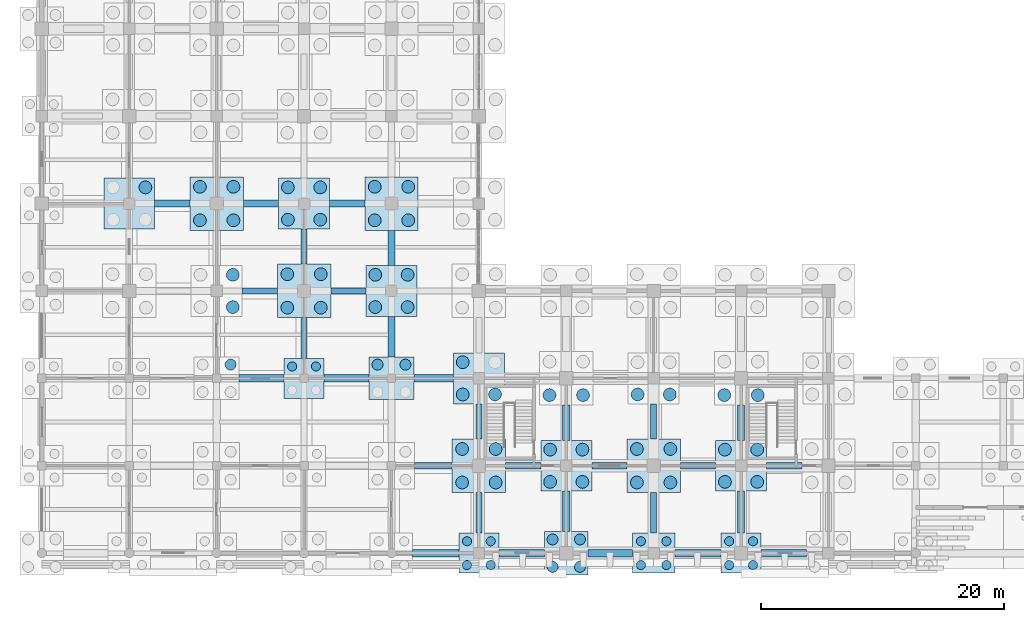
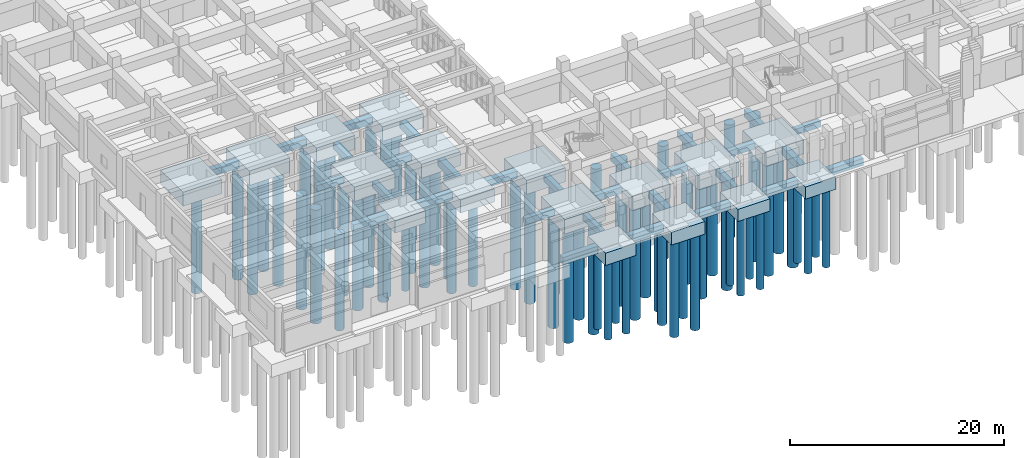
# One storey, part 2 of 79: 69 piles, 47 footings.
"""IFC4 building model written with IfcOpenShell, lengths in metres."""

from ifc_helpers import new_model, si_unit, direction, frame, origin, origin_2d, place, context, subcontext, project, spatial, polyline, rectangle, circle, outline, extrude, material, material_profile, profile_set, type_object, element, save


model = new_model("IFC4")

# Units and contexts
model_context = context("Model", 3, precision=1e-05, world=origin(), true_north=direction((0.0, 1.0)))
body_context = subcontext(model_context, "Body", "Model", "MODEL_VIEW")
ifc_project = project(units=[si_unit("LENGTHUNIT", "METRE"), si_unit("AREAUNIT", "SQUARE_METRE"), si_unit("VOLUMEUNIT", "CUBIC_METRE"), si_unit("PLANEANGLEUNIT", "RADIAN"), si_unit("MASSUNIT", "GRAM", prefix="KILO")], contexts=[model_context])

# Site, building, storey
site_placement = place(None, origin())
site = spatial("IfcSite", under=ifc_project, at=site_placement, CompositionType="ELEMENT")
building_placement = place(site_placement, origin())
building = spatial("IfcBuilding", under=site, at=building_placement, Name="Kavelor Marine Aquarium", CompositionType="ELEMENT")
storey_placement = place(building_placement, origin())
storey = spatial("IfcBuildingStorey", under=building, at=storey_placement, Name="L00", CompositionType="ELEMENT", Elevation=0.0)

# Footings
ifc_material_1 = material(Name="Concrete C40/50", Category="concrete")
footing_type_1 = type_object("IfcFootingType", Name="CAP-PC01", PredefinedType="PILE_CAP", material=ifc_material_1)
footing_1_placement = place(storey_placement, frame((0.0, 0.0, -2.0)))
element("IfcFooting", 1, at=footing_1_placement, inside=storey, type_object=footing_type_1, Name="Pile Cap PC01 (3-E)", PredefinedType="PILE_CAP", context=body_context, shape_type="SweptSolid", body=[
    extrude(outline(polyline([(15.39990234375, 29.39990234375), (19.800048828125, 29.39990234375), (19.800048828125, 33.800048828125), (15.39990234375, 33.800048828125), (15.39990234375, 29.39990234375)])), origin(), (0.0, 0.0, 1.0), 1.64990234375),
])
footing_2_placement = place(storey_placement, frame((0.0, 0.0, -2.0)))
element("IfcFooting", 2, at=footing_2_placement, inside=storey, type_object=footing_type_1, Name="Pile Cap PC01 (4-D)", PredefinedType="PILE_CAP", context=body_context, shape_type="SweptSolid", body=[
    extrude(outline(polyline([(22.60009765625, 22.199951171875), (27.0, 22.199951171875), (27.0, 26.60009765625), (22.60009765625, 26.60009765625), (22.60009765625, 22.199951171875)])), origin(), (0.0, 0.0, 1.0), 1.64990234375),
])
footing_3_placement = place(storey_placement, frame((0.0, 0.0, -2.0)))
element("IfcFooting", 3, at=footing_3_placement, inside=storey, type_object=footing_type_1, Name="Pile Cap PC01 (5-E)", PredefinedType="PILE_CAP", context=body_context, shape_type="SweptSolid", body=[
    extrude(outline(polyline([(29.800048828125, 29.39990234375), (34.199951171875, 29.39990234375), (34.199951171875, 33.800048828125), (29.800048828125, 33.800048828125), (29.800048828125, 29.39990234375)])), origin(), (0.0, 0.0, 1.0), 1.64990234375),
])
footing_4_placement = place(storey_placement, frame((0.0, 0.0, -2.0)))
element("IfcFooting", 4, at=footing_4_placement, inside=storey, type_object=footing_type_1, Name="Pile Cap PC01 (6-B)", PredefinedType="PILE_CAP", context=body_context, shape_type="SweptSolid", body=[
    extrude(outline(polyline([(37.0, 7.800048828125), (41.39990234375, 7.800048828125), (41.39990234375, 12.199951171875), (37.0, 12.199951171875), (37.0, 7.800048828125)])), origin(), (0.0, 0.0, 1.0), 1.64990234375),
])
footing_5_placement = place(storey_placement, frame((0.0, 0.0, -2.0)))
element("IfcFooting", 5, at=footing_5_placement, inside=storey, type_object=footing_type_1, Name="Pile Cap PC01 (8-B)", PredefinedType="PILE_CAP", context=body_context, shape_type="SweptSolid", body=[
    extrude(outline(polyline([(51.39990234375, 7.800048828125), (55.800048828125, 7.800048828125), (55.800048828125, 12.199951171875), (51.39990234375, 12.199951171875), (51.39990234375, 7.800048828125)])), origin(), (0.0, 0.0, 1.0), 1.64990234375),
])
ifc_material_2 = material(Name="Concrete C40/50", Category="concrete")
footing_type_2 = type_object("IfcFootingType", Name="CAP-PC02", PredefinedType="PILE_CAP", material=ifc_material_2)
footing_6_placement = place(storey_placement, frame((0.0, 0.0, -1.949951171875)))
element("IfcFooting", 6, at=footing_6_placement, inside=storey, type_object=footing_type_2, Name="Pile Cap PC02 (2-E)", PredefinedType="PILE_CAP", context=body_context, shape_type="SweptSolid", body=[
    extrude(outline(polyline([(8.300048828125, 29.5), (12.5, 29.5), (12.5, 33.699951171875), (8.300048828125, 33.699951171875), (8.300048828125, 29.5)])), origin(), (0.0, 0.0, 1.0), 1.599853515625),
])
footing_7_placement = place(storey_placement, frame((0.0, 0.0, -1.949951171875)))
element("IfcFooting", 7, at=footing_7_placement, inside=storey, type_object=footing_type_2, Name="Pile Cap PC02 (4-E)", PredefinedType="PILE_CAP", context=body_context, shape_type="SweptSolid", body=[
    extrude(outline(polyline([(22.699951171875, 29.5), (26.89990234375, 29.5), (26.89990234375, 33.699951171875), (22.699951171875, 33.699951171875), (22.699951171875, 29.5)])), origin(), (0.0, 0.0, 1.0), 1.599853515625),
])
footing_8_placement = place(storey_placement, frame((0.0, 0.0, -1.949951171875)))
element("IfcFooting", 8, at=footing_8_placement, inside=storey, type_object=footing_type_2, Name="Pile Cap PC02 (5-D)", PredefinedType="PILE_CAP", context=body_context, shape_type="SweptSolid", body=[
    extrude(outline(polyline([(29.89990234375, 22.300048828125), (34.10009765625, 22.300048828125), (34.10009765625, 26.5), (29.89990234375, 26.5), (29.89990234375, 22.300048828125)])), origin(), (0.0, 0.0, 1.0), 1.599853515625),
])
footing_9_placement = place(storey_placement, frame((0.0, 0.0, -1.949951171875)))
element("IfcFooting", 9, at=footing_9_placement, inside=storey, type_object=footing_type_2, Name="Pile Cap PC02 (6-C)", PredefinedType="PILE_CAP", context=body_context, shape_type="SweptSolid", body=[
    extrude(outline(polyline([(37.10009765625, 15.10009765625), (41.300048828125, 15.10009765625), (41.300048828125, 19.300048828125), (37.10009765625, 19.300048828125), (37.10009765625, 15.10009765625)])), origin(), (0.0, 0.0, 1.0), 1.599853515625),
])
footing_10_placement = place(storey_placement, frame((0.0, 0.0, -1.949951171875)))
element("IfcFooting", 10, at=footing_10_placement, inside=storey, type_object=footing_type_2, Name="Pile Cap PC02 (7-B)", PredefinedType="PILE_CAP", context=body_context, shape_type="SweptSolid", body=[
    extrude(outline(polyline([(44.300048828125, 7.89990234375), (48.5, 7.89990234375), (48.5, 12.10009765625), (44.300048828125, 12.10009765625), (44.300048828125, 7.89990234375)])), origin(), (0.0, 0.0, 1.0), 1.599853515625),
])
footing_11_placement = place(storey_placement, frame((0.0, 0.0, -1.949951171875)))
element("IfcFooting", 11, at=footing_11_placement, inside=storey, type_object=footing_type_2, Name="Pile Cap PC02 (9-B)", PredefinedType="PILE_CAP", context=body_context, shape_type="SweptSolid", body=[
    extrude(outline(polyline([(58.699951171875, 7.89990234375), (62.89990234375, 7.89990234375), (62.89990234375, 12.10009765625), (58.699951171875, 12.10009765625), (58.699951171875, 7.89990234375)])), origin(), (0.0, 0.0, 1.0), 1.599853515625),
])
ifc_material_3 = material(Name="Concrete C40/50", Category="concrete")
footing_type_3 = type_object("IfcFootingType", Name="CAP-PC05", PredefinedType="PILE_CAP", material=ifc_material_3)
footing_12_placement = place(storey_placement, frame((0.0, 0.0, -1.85009765625)))
element("IfcFooting", 12, at=footing_12_placement, inside=storey, type_object=footing_type_3, Name="Pile Cap PC05 (5-C)", PredefinedType="PILE_CAP", context=body_context, shape_type="SweptSolid", body=[
    extrude(outline(polyline([(30.14990234375, 15.449951171875), (33.85009765625, 15.449951171875), (33.85009765625, 18.949951171875), (30.14990234375, 18.949951171875), (30.14990234375, 15.449951171875)])), origin(), (0.0, 0.0, 1.0), 1.5),
])
ifc_material_4 = material(Name="Concrete C40/50", Category="concrete")
footing_type_4 = type_object("IfcFootingType", Name="CAP-PC06", PredefinedType="PILE_CAP", material=ifc_material_4)
footing_13_placement = place(storey_placement, frame((0.0, 0.0, -1.800048828125)))
element("IfcFooting", 13, at=footing_13_placement, inside=storey, type_object=footing_type_4, Name="Pile Cap PC06 (7-A)", PredefinedType="PILE_CAP", context=body_context, shape_type="SweptSolid", body=[
    extrude(outline(polyline([(44.60009765625, 1.0), (48.199951171875, 1.0), (48.199951171875, 4.60009765625), (44.60009765625, 4.60009765625), (44.60009765625, 1.0)])), origin(), (0.0, 0.0, 1.0), 1.449951171875),
])
ifc_material_5 = material(Name="Concrete C40/50", Category="concrete")
footing_type_5 = type_object("IfcFootingType", Name="CAP-PC07", PredefinedType="PILE_CAP", material=ifc_material_5)
footing_14_placement = place(storey_placement, frame((0.0, 0.0, -1.75)))
element("IfcFooting", 14, at=footing_14_placement, inside=storey, type_object=footing_type_5, Name="Pile Cap PC07 (8-A)", PredefinedType="PILE_CAP", context=body_context, shape_type="SweptSolid", body=[
    extrude(outline(polyline([(51.85009765625, 1.14990234375), (55.35009765625, 1.14990234375), (55.35009765625, 4.449951171875), (51.85009765625, 4.449951171875), (51.85009765625, 1.14990234375)])), origin(), (0.0, 0.0, 1.0), 1.39990234375),
])
ifc_material_6 = material(Name="Concrete C40/50", Category="concrete")
footing_type_6 = type_object("IfcFootingType", Name="CAP-PC08", PredefinedType="PILE_CAP", material=ifc_material_6)
footing_15_placement = place(storey_placement, frame((0.0, 0.0, -1.75)))
element("IfcFooting", 15, at=footing_15_placement, inside=storey, type_object=footing_type_6, Name="Pile Cap PC08 (4-C)", PredefinedType="PILE_CAP", context=body_context, shape_type="SweptSolid", body=[
    extrude(outline(polyline([(23.14990234375, 15.550048828125), (26.449951171875, 15.550048828125), (26.449951171875, 18.85009765625), (23.14990234375, 18.85009765625), (23.14990234375, 15.550048828125)])), origin(), (0.0, 0.0, 1.0), 1.39990234375),
])
footing_16_placement = place(storey_placement, frame((0.0, 0.0, -1.75)))
element("IfcFooting", 16, at=footing_16_placement, inside=storey, type_object=footing_type_6, Name="Pile Cap PC08 (6-A)", PredefinedType="PILE_CAP", context=body_context, shape_type="SweptSolid", body=[
    extrude(outline(polyline([(37.550048828125, 1.14990234375), (40.85009765625, 1.14990234375), (40.85009765625, 4.449951171875), (37.550048828125, 4.449951171875), (37.550048828125, 1.14990234375)])), origin(), (0.0, 0.0, 1.0), 1.39990234375),
])
footing_17_placement = place(storey_placement, frame((0.0, 0.0, -1.75)))
element("IfcFooting", 17, at=footing_17_placement, inside=storey, type_object=footing_type_6, Name="Pile Cap PC08 (9-A)", PredefinedType="PILE_CAP", context=body_context, shape_type="SweptSolid", body=[
    extrude(outline(polyline([(59.14990234375, 1.14990234375), (62.449951171875, 1.14990234375), (62.449951171875, 4.449951171875), (59.14990234375, 4.449951171875), (59.14990234375, 1.14990234375)])), origin(), (0.0, 0.0, 1.0), 1.39990234375),
])
ifc_material_7 = material(Name="Concrete C40/50", Category="concrete")
ifc_material_profile_1 = material_profile(ifc_material_7, rectangle(XDim=0.60009765625, YDim=0.800048828125, at=origin_2d()), Name="GB 600x800")
ifc_profile_set_1 = profile_set([ifc_material_profile_1], Name="Concrete C40/50")
footing_type_7 = type_object("IfcFootingType", Name="FTB-GB1", PredefinedType="FOOTING_BEAM", material=ifc_profile_set_1)
footing_18_placement = place(storey_placement, frame((12.5, 31.60009765625, -0.75), z_axis=(1.0, 0.0, 0.0), x_axis=(0.0, 1.0, 0.0)))
element("IfcFooting", 18, at=footing_18_placement, inside=storey, type_object=footing_type_7, Name="ftb:x:01_04", PredefinedType="FOOTING_BEAM", context=body_context, shape_type="SweptSolid", body=[
    extrude(rectangle(XDim=0.60009765625, YDim=0.800048828125, at=origin_2d()), origin(), (0.0, 0.0, 1.0), 2.89990234375),
])
footing_19_placement = place(storey_placement, frame((19.449951171875, 17.199951171875, -0.75), z_axis=(1.0, 0.0, 0.0), x_axis=(0.0, 1.0, 0.0)))
element("IfcFooting", 19, at=footing_19_placement, inside=storey, type_object=footing_type_7, Name="ftb:x:02_02", PredefinedType="FOOTING_BEAM", context=body_context, shape_type="SweptSolid", body=[
    extrude(rectangle(XDim=0.60009765625, YDim=0.800048828125, at=origin_2d()), origin(), (0.0, 0.0, 1.0), 3.699951171875),
])
footing_20_placement = place(storey_placement, frame((19.800048828125, 31.60009765625, -0.75), z_axis=(1.0, 0.0, 0.0), x_axis=(0.0, 1.0, 0.0)))
element("IfcFooting", 20, at=footing_20_placement, inside=storey, type_object=footing_type_7, Name="ftb:x:02_04", PredefinedType="FOOTING_BEAM", context=body_context, shape_type="SweptSolid", body=[
    extrude(rectangle(XDim=0.60009765625, YDim=0.800048828125, at=origin_2d()), origin(), (0.0, 0.0, 1.0), 2.89990234375),
])
footing_21_placement = place(storey_placement, frame((26.449951171875, 17.199951171875, -0.75), z_axis=(1.0, 0.0, 0.0), x_axis=(0.0, 1.0, 0.0)))
element("IfcFooting", 21, at=footing_21_placement, inside=storey, type_object=footing_type_7, Name="ftb:x:03_02", PredefinedType="FOOTING_BEAM", context=body_context, shape_type="SweptSolid", body=[
    extrude(rectangle(XDim=0.60009765625, YDim=0.800048828125, at=origin_2d()), origin(), (0.0, 0.0, 1.0), 3.699951171875),
])
footing_22_placement = place(storey_placement, frame((26.89990234375, 31.60009765625, -0.75), z_axis=(1.0, 0.0, 0.0), x_axis=(0.0, 1.0, 0.0)))
element("IfcFooting", 22, at=footing_22_placement, inside=storey, type_object=footing_type_7, Name="ftb:x:03_04", PredefinedType="FOOTING_BEAM", context=body_context, shape_type="SweptSolid", body=[
    extrude(rectangle(XDim=0.60009765625, YDim=0.800048828125, at=origin_2d()), origin(), (0.0, 0.0, 1.0), 2.900146484375),
])
footing_23_placement = place(storey_placement, frame((33.75, 2.800048828125, -0.75), z_axis=(1.0, 0.0, 0.0), x_axis=(0.0, 1.0, 0.0)))
element("IfcFooting", 23, at=footing_23_placement, inside=storey, type_object=footing_type_7, Name="ftb:x:04_00", PredefinedType="FOOTING_BEAM", context=body_context, shape_type="SweptSolid", body=[
    extrude(rectangle(XDim=0.60009765625, YDim=0.800048828125, at=origin_2d()), origin(), (0.0, 0.0, 1.0), 3.800048828125),
])
footing_24_placement = place(storey_placement, frame((33.85009765625, 17.199951171875, -0.75), z_axis=(1.0, 0.0, 0.0), x_axis=(0.0, 1.0, 0.0)))
element("IfcFooting", 24, at=footing_24_placement, inside=storey, type_object=footing_type_7, Name="ftb:x:04_02", PredefinedType="FOOTING_BEAM", context=body_context, shape_type="SweptSolid", body=[
    extrude(rectangle(XDim=0.60009765625, YDim=0.800048828125, at=origin_2d()), origin(), (0.0, 0.0, 1.0), 3.25),
])
footing_25_placement = place(storey_placement, frame((32.0, 18.949951171875, -0.75), z_axis=(0.0, 1.0, 0.0), x_axis=(-1.0, 0.0, 0.0)))
element("IfcFooting", 25, at=footing_25_placement, inside=storey, type_object=footing_type_7, Name="ftb:y:04_02", PredefinedType="FOOTING_BEAM", context=body_context, shape_type="SweptSolid", body=[
    extrude(rectangle(XDim=0.60009765625, YDim=0.800048828125, at=origin_2d()), origin(), (0.0, 0.0, 1.0), 3.35009765625),
])
footing_26_placement = place(storey_placement, frame((32.0, 26.5, -0.75), z_axis=(0.0, 1.0, 0.0), x_axis=(-1.0, 0.0, 0.0)))
element("IfcFooting", 26, at=footing_26_placement, inside=storey, type_object=footing_type_7, Name="ftb:y:04_03", PredefinedType="FOOTING_BEAM", context=body_context, shape_type="SweptSolid", body=[
    extrude(rectangle(XDim=0.60009765625, YDim=0.800048828125, at=origin_2d()), origin(), (0.0, 0.0, 1.0), 2.89990234375),
])
footing_27_placement = place(storey_placement, frame((40.85009765625, 2.800048828125, -0.75), z_axis=(1.0, 0.0, 0.0), x_axis=(0.0, 1.0, 0.0)))
element("IfcFooting", 27, at=footing_27_placement, inside=storey, type_object=footing_type_7, Name="ftb:x:05_00", PredefinedType="FOOTING_BEAM", context=body_context, shape_type="SweptSolid", body=[
    extrude(rectangle(XDim=0.60009765625, YDim=0.800048828125, at=origin_2d()), origin(), (0.0, 0.0, 1.0), 3.75),
])
footing_28_placement = place(storey_placement, frame((48.199951171875, 2.800048828125, -0.75), z_axis=(1.0, 0.0, 0.0), x_axis=(0.0, 1.0, 0.0)))
element("IfcFooting", 28, at=footing_28_placement, inside=storey, type_object=footing_type_7, Name="ftb:x:06_00", PredefinedType="FOOTING_BEAM", context=body_context, shape_type="SweptSolid", body=[
    extrude(rectangle(XDim=0.60009765625, YDim=0.800048828125, at=origin_2d()), origin(), (0.0, 0.0, 1.0), 3.650146484375),
])
footing_29_placement = place(storey_placement, frame((46.39990234375, 4.60009765625, -0.75), z_axis=(0.0, 1.0, 0.0), x_axis=(-1.0, 0.0, 0.0)))
element("IfcFooting", 29, at=footing_29_placement, inside=storey, type_object=footing_type_7, Name="ftb:y:06_00", PredefinedType="FOOTING_BEAM", context=body_context, shape_type="SweptSolid", body=[
    extrude(rectangle(XDim=0.60009765625, YDim=0.800048828125, at=origin_2d()), origin(), (0.0, 0.0, 1.0), 3.2998046875),
])
footing_30_placement = place(storey_placement, frame((46.39990234375, 12.10009765625, -0.75), z_axis=(0.0, 1.0, 0.0), x_axis=(-1.0, 0.0, 0.0)))
element("IfcFooting", 30, at=footing_30_placement, inside=storey, type_object=footing_type_7, Name="ftb:y:06_01", PredefinedType="FOOTING_BEAM", context=body_context, shape_type="SweptSolid", body=[
    extrude(rectangle(XDim=0.60009765625, YDim=0.800048828125, at=origin_2d()), origin(), (0.0, 0.0, 1.0), 2.89990234375),
])
footing_31_placement = place(storey_placement, frame((55.35009765625, 2.800048828125, -0.75), z_axis=(1.0, 0.0, 0.0), x_axis=(0.0, 1.0, 0.0)))
element("IfcFooting", 31, at=footing_31_placement, inside=storey, type_object=footing_type_7, Name="ftb:x:07_00", PredefinedType="FOOTING_BEAM", context=body_context, shape_type="SweptSolid", body=[
    extrude(rectangle(XDim=0.60009765625, YDim=0.800048828125, at=origin_2d()), origin(), (0.0, 0.0, 1.0), 3.7998046875),
])
footing_32_placement = place(storey_placement, frame((62.449951171875, 2.800048828125, -0.75), z_axis=(1.0, 0.0, 0.0), x_axis=(0.0, 1.0, 0.0)))
element("IfcFooting", 32, at=footing_32_placement, inside=storey, type_object=footing_type_7, Name="ftb:x:08_00", PredefinedType="FOOTING_BEAM", context=body_context, shape_type="SweptSolid", body=[
    extrude(rectangle(XDim=0.60009765625, YDim=0.800048828125, at=origin_2d()), origin(), (0.0, 0.0, 1.0), 3.75),
])
footing_33_placement = place(storey_placement, frame((60.800048828125, 4.449951171875, -0.75), z_axis=(0.0, 1.0, 0.0), x_axis=(-1.0, 0.0, 0.0)))
element("IfcFooting", 33, at=footing_33_placement, inside=storey, type_object=footing_type_7, Name="ftb:y:08_00", PredefinedType="FOOTING_BEAM", context=body_context, shape_type="SweptSolid", body=[
    extrude(rectangle(XDim=0.60009765625, YDim=0.800048828125, at=origin_2d()), origin(), (0.0, 0.0, 1.0), 3.449951171875),
])
footing_34_placement = place(storey_placement, frame((60.800048828125, 12.10009765625, -0.75), z_axis=(0.0, 1.0, 0.0), x_axis=(-1.0, 0.0, 0.0)))
element("IfcFooting", 34, at=footing_34_placement, inside=storey, type_object=footing_type_7, Name="ftb:y:08_01", PredefinedType="FOOTING_BEAM", context=body_context, shape_type="SweptSolid", body=[
    extrude(rectangle(XDim=0.60009765625, YDim=0.800048828125, at=origin_2d()), origin(), (0.0, 0.0, 1.0), 2.89990234375),
])
ifc_material_8 = material(Name="Concrete C40/50", Category="concrete")
ifc_material_profile_2 = material_profile(ifc_material_8, rectangle(XDim=0.5, YDim=0.699951171875, at=origin_2d()), Name="GB 500x700")
ifc_profile_set_2 = profile_set([ifc_material_profile_2], Name="Concrete C40/50")
footing_type_8 = type_object("IfcFootingType", Name="FTB-GB2", PredefinedType="FOOTING_BEAM", material=ifc_profile_set_2)
footing_35_placement = place(storey_placement, frame((19.699951171875, 24.39990234375, -0.699951171875), z_axis=(1.0, 0.0, 0.0), x_axis=(0.0, 1.0, 0.0)))
element("IfcFooting", 35, at=footing_35_placement, inside=storey, type_object=footing_type_8, Name="ftb:x:02_03", PredefinedType="FOOTING_BEAM", context=body_context, shape_type="SweptSolid", body=[
    extrude(rectangle(XDim=0.5, YDim=0.699951171875, at=origin_2d()), origin(), (0.0, 0.0, 1.0), 2.900146484375),
])
footing_36_placement = place(storey_placement, frame((24.800048828125, 18.85009765625, -0.699951171875), z_axis=(0.0, 1.0, 0.0), x_axis=(-1.0, 0.0, 0.0)))
element("IfcFooting", 36, at=footing_36_placement, inside=storey, type_object=footing_type_8, Name="ftb:y:03_02", PredefinedType="FOOTING_BEAM", context=body_context, shape_type="SweptSolid", body=[
    extrude(rectangle(XDim=0.5, YDim=0.699951171875, at=origin_2d()), origin(), (0.0, 0.0, 1.0), 3.349853515625),
])
for number, where, z_axis, x_axis, name in (
    (37, (27.0, 24.39990234375, -0.699951171875), (1.0, 0.0, 0.0), (0.0, 1.0, 0.0), "ftb:x:03_03"),
    (38, (24.800048828125, 26.60009765625, -0.699951171875), (0.0, 1.0, 0.0), (-1.0, 0.0, 0.0), "ftb:y:03_03"),
):
    element("IfcFooting", number, at=place(storey_placement, frame(where, z_axis=z_axis, x_axis=x_axis)), inside=storey, type_object=footing_type_8, Name=name, PredefinedType="FOOTING_BEAM", context=body_context, shape_type="SweptSolid", body=[
        extrude(rectangle(XDim=0.5, YDim=0.699951171875, at=origin_2d()), origin(), (0.0, 0.0, 1.0), 2.89990234375),
    ])
footing_37_placement = place(storey_placement, frame((33.89990234375, 10.0, -0.699951171875), z_axis=(1.0, 0.0, 0.0), x_axis=(0.0, 1.0, 0.0)))
element("IfcFooting", 39, at=footing_37_placement, inside=storey, type_object=footing_type_8, Name="ftb:x:04_01", PredefinedType="FOOTING_BEAM", context=body_context, shape_type="SweptSolid", body=[
    extrude(rectangle(XDim=0.5, YDim=0.699951171875, at=origin_2d()), origin(), (0.0, 0.0, 1.0), 3.10009765625),
])
footing_38_placement = place(storey_placement, frame((39.199951171875, 4.449951171875, -0.699951171875), z_axis=(0.0, 1.0, 0.0), x_axis=(-1.0, 0.0, 0.0)))
element("IfcFooting", 40, at=footing_38_placement, inside=storey, type_object=footing_type_8, Name="ftb:y:05_00", PredefinedType="FOOTING_BEAM", context=body_context, shape_type="SweptSolid", body=[
    extrude(rectangle(XDim=0.5, YDim=0.699951171875, at=origin_2d()), origin(), (0.0, 0.0, 1.0), 3.35009765625),
])
for number, where, z_axis, x_axis, name in (
    (41, (41.39990234375, 10.0, -0.699951171875), (1.0, 0.0, 0.0), (0.0, 1.0, 0.0), "ftb:x:05_01"),
    (42, (39.199951171875, 12.199951171875, -0.699951171875), (0.0, 1.0, 0.0), (-1.0, 0.0, 0.0), "ftb:y:05_01"),
):
    element("IfcFooting", number, at=place(storey_placement, frame(where, z_axis=z_axis, x_axis=x_axis)), inside=storey, type_object=footing_type_8, Name=name, PredefinedType="FOOTING_BEAM", context=body_context, shape_type="SweptSolid", body=[
        extrude(rectangle(XDim=0.5, YDim=0.699951171875, at=origin_2d()), origin(), (0.0, 0.0, 1.0), 2.900146484375),
    ])
footing_39_placement = place(storey_placement, frame((48.5, 10.0, -0.699951171875), z_axis=(1.0, 0.0, 0.0), x_axis=(0.0, 1.0, 0.0)))
element("IfcFooting", 43, at=footing_39_placement, inside=storey, type_object=footing_type_8, Name="ftb:x:06_01", PredefinedType="FOOTING_BEAM", context=body_context, shape_type="SweptSolid", body=[
    extrude(rectangle(XDim=0.5, YDim=0.699951171875, at=origin_2d()), origin(), (0.0, 0.0, 1.0), 2.89990234375),
])
footing_40_placement = place(storey_placement, frame((53.60009765625, 4.449951171875, -0.699951171875), z_axis=(0.0, 1.0, 0.0), x_axis=(-1.0, 0.0, 0.0)))
element("IfcFooting", 44, at=footing_40_placement, inside=storey, type_object=footing_type_8, Name="ftb:y:07_00", PredefinedType="FOOTING_BEAM", context=body_context, shape_type="SweptSolid", body=[
    extrude(rectangle(XDim=0.5, YDim=0.699951171875, at=origin_2d()), origin(), (0.0, 0.0, 1.0), 3.35009765625),
])
footing_41_placement = place(storey_placement, frame((55.800048828125, 10.0, -0.699951171875), z_axis=(1.0, 0.0, 0.0), x_axis=(0.0, 1.0, 0.0)))
element("IfcFooting", 45, at=footing_41_placement, inside=storey, type_object=footing_type_8, Name="ftb:x:07_01", PredefinedType="FOOTING_BEAM", context=body_context, shape_type="SweptSolid", body=[
    extrude(rectangle(XDim=0.5, YDim=0.699951171875, at=origin_2d()), origin(), (0.0, 0.0, 1.0), 2.89990234375),
])
for number, where, z_axis, x_axis, name in (
    (46, (53.60009765625, 12.199951171875, -0.699951171875), (0.0, 1.0, 0.0), (-1.0, 0.0, 0.0), "ftb:y:07_01"),
    (47, (62.89990234375, 10.0, -0.699951171875), (1.0, 0.0, 0.0), (0.0, 1.0, 0.0), "ftb:x:08_01"),
):
    element("IfcFooting", number, at=place(storey_placement, frame(where, z_axis=z_axis, x_axis=x_axis)), inside=storey, type_object=footing_type_8, Name=name, PredefinedType="FOOTING_BEAM", context=body_context, shape_type="SweptSolid", body=[
        extrude(rectangle(XDim=0.5, YDim=0.699951171875, at=origin_2d()), origin(), (0.0, 0.0, 1.0), 2.900146484375),
    ])

# Piles
ifc_material_9 = material(Name="Concrete C40/50", Category="concrete")
ifc_material_profile_3 = material_profile(ifc_material_9, circle(Radius=0.52490234375, at=origin_2d()), Name="PILE D1050")
ifc_profile_set_3 = profile_set([ifc_material_profile_3], Name="Concrete C40/50")
pile_type_1 = type_object("IfcPileType", Name="PILE-P1", PredefinedType="BORED", material=ifc_profile_set_3)
for number, where, z_axis, x_axis, name in (
    (48, (11.72998046875, 32.929931640625, -1.85009765625), (0.0, 0.0, -1.0), (1.0, 0.0, 0.0), "Bored Pile P1 (2-E-4)"),
    (49, (18.929931640625, 23.070068359375, -1.85009765625), (0.0, 0.0, -1.0), (1.0, 0.0, 0.0), "Bored Pile P1 (3-D-2)"),
    (50, (18.929931640625, 25.72998046875, -1.85009765625), (0.0, 0.0, -1.0), (1.0, 0.0, 0.0), "Bored Pile P1 (3-D-4)"),
    (51, (16.219970703125, 30.219970703125, -1.89990234375), (0.0, 0.0, -1.0), (1.0, 0.0, 0.0), "Bored Pile P1 (3-E-1)"),
    (52, (18.97998046875, 30.219970703125, -1.89990234375), (0.0, 0.0, -1.0), (1.0, 0.0, 0.0), "Bored Pile P1 (3-E-2)"),
    (53, (16.219970703125, 32.97998046875, -1.89990234375), (0.0, 0.0, -1.0), (1.0, 0.0, 0.0), "Bored Pile P1 (3-E-3)"),
    (54, (18.97998046875, 32.97998046875, -1.89990234375), (0.0, 0.0, -1.0), (1.0, 0.0, 0.0), "Bored Pile P1 (3-E-4)"),
    (55, (23.419921875, 23.02001953125, -1.89990234375), (0.0, 0.0, -1.0), (1.0, 0.0, 0.0), "Bored Pile P1 (4-D-1)"),
    (56, (26.179931640625, 23.02001953125, -1.89990234375), (0.0, 0.0, -1.0), (1.0, 0.0, 0.0), "Bored Pile P1 (4-D-2)"),
    (57, (23.419921875, 25.780029296875, -1.89990234375), (0.0, 0.0, -1.0), (1.0, 0.0, 0.0), "Bored Pile P1 (4-D-3)"),
    (58, (26.179931640625, 25.780029296875, -1.89990234375), (0.0, 0.0, -1.0), (1.0, 0.0, 0.0), "Bored Pile P1 (4-D-4)"),
    (59, (23.469970703125, 30.27001953125, -1.85009765625), (0.0, 0.0, -1.0), (1.0, 0.0, 0.0), "Bored Pile P1 (4-E-1)"),
    (60, (26.1298828125, 30.27001953125, -1.85009765625), (0.0, 0.0, -1.0), (1.0, 0.0, 0.0), "Bored Pile P1 (4-E-2)"),
    (61, (23.469970703125, 32.929931640625, -1.85009765625), (0.0, 0.0, -1.0), (1.0, 0.0, 0.0), "Bored Pile P1 (4-E-3)"),
    (62, (26.1298828125, 32.929931640625, -1.85009765625), (0.0, 0.0, -1.0), (1.0, 0.0, 0.0), "Bored Pile P1 (4-E-4)"),
    (63, (30.669921875, 23.070068359375, -1.85009765625), (0.0, 0.0, -1.0), (1.0, 0.0, 0.0), "Bored Pile P1 (5-D-1)"),
    (64, (33.330078125, 23.070068359375, -1.85009765625), (0.0, 0.0, -1.0), (1.0, 0.0, 0.0), "Bored Pile P1 (5-D-2)"),
    (65, (30.669921875, 25.72998046875, -1.85009765625), (0.0, 0.0, -1.0), (1.0, 0.0, 0.0), "Bored Pile P1 (5-D-3)"),
    (66, (33.330078125, 25.72998046875, -1.85009765625), (0.0, 0.0, -1.0), (1.0, 0.0, 0.0), "Bored Pile P1 (5-D-4)"),
    (67, (30.6201171875, 30.219970703125, -1.89990234375), (0.0, 0.0, -1.0), (1.0, 0.0, 0.0), "Bored Pile P1 (5-E-1)"),
    (68, (33.3798828125, 30.219970703125, -1.89990234375), (0.0, 0.0, -1.0), (1.0, 0.0, 0.0), "Bored Pile P1 (5-E-2)"),
    (69, (30.6201171875, 32.97998046875, -1.89990234375), (0.0, 0.0, -1.0), (1.0, 0.0, 0.0), "Bored Pile P1 (5-E-3)"),
    (70, (33.3798828125, 32.97998046875, -1.89990234375), (0.0, 0.0, -1.0), (1.0, 0.0, 0.0), "Bored Pile P1 (5-E-4)"),
    (71, (37.820068359375, 8.6201171875, -1.89990234375), (0.0, 0.0, -1.0), (1.0, 0.0, 0.0), "Bored Pile P1 (6-B-1)"),
    (72, (40.580078125, 8.6201171875, -1.89990234375), (0.0, 0.0, -1.0), (1.0, 0.0, 0.0), "Bored Pile P1 (6-B-2)"),
    (73, (37.820068359375, 11.3798828125, -1.89990234375), (0.0, 0.0, -1.0), (1.0, 0.0, 0.0), "Bored Pile P1 (6-B-3)"),
    (74, (40.580078125, 11.3798828125, -1.89990234375), (0.0, 0.0, -1.0), (1.0, 0.0, 0.0), "Bored Pile P1 (6-B-4)"),
    (75, (37.8701171875, 15.8701171875, -1.85009765625), (0.0, 0.0, -1.0), (1.0, 0.0, 0.0), "Bored Pile P1 (6-C-1)"),
    (76, (40.530029296875, 15.8701171875, -1.85009765625), (0.0, 0.0, -1.0), (1.0, 0.0, 0.0), "Bored Pile P1 (6-C-2)"),
    (77, (37.8701171875, 18.530029296875, -1.85009765625), (0.0, 0.0, -1.0), (1.0, 0.0, 0.0), "Bored Pile P1 (6-C-3)"),
    (78, (45.070068359375, 8.669921875, -1.85009765625), (0.0, 0.0, -1.0), (1.0, 0.0, 0.0), "Bored Pile P1 (7-B-1)"),
    (79, (47.72998046875, 8.669921875, -1.85009765625), (0.0, 0.0, -1.0), (1.0, 0.0, 0.0), "Bored Pile P1 (7-B-2)"),
    (80, (45.070068359375, 11.330078125, -1.85009765625), (0.0, 0.0, -1.0), (1.0, 0.0, 0.0), "Bored Pile P1 (7-B-3)"),
    (81, (47.72998046875, 11.330078125, -1.85009765625), (0.0, 0.0, -1.0), (1.0, 0.0, 0.0), "Bored Pile P1 (7-B-4)"),
    (82, (45.02001953125, 15.820068359375, -1.89990234375), (0.0, 0.0, -1.0), (1.0, 0.0, 0.0), "Bored Pile P1 (7-C-1)"),
    (83, (47.780029296875, 15.820068359375, -1.89990234375), (0.0, 0.0, -1.0), (1.0, 0.0, 0.0), "Bored Pile P1 (7-C-2)"),
    (84, (52.219970703125, 8.6201171875, -1.89990234375), (0.0, 0.0, -1.0), (1.0, 0.0, 0.0), "Bored Pile P1 (8-B-1)"),
    (85, (54.97998046875, 8.6201171875, -1.89990234375), (0.0, 0.0, -1.0), (1.0, 0.0, 0.0), "Bored Pile P1 (8-B-2)"),
    (86, (52.219970703125, 11.3798828125, -1.89990234375), (0.0, 0.0, -1.0), (1.0, 0.0, 0.0), "Bored Pile P1 (8-B-3)"),
    (87, (54.97998046875, 11.3798828125, -1.89990234375), (0.0, 0.0, -1.0), (1.0, 0.0, 0.0), "Bored Pile P1 (8-B-4)"),
    (88, (52.27001953125, 15.8701171875, -1.85009765625), (0.0, 0.0, -1.0), (1.0, 0.0, 0.0), "Bored Pile P1 (8-C-1)"),
    (89, (54.929931640625, 15.8701171875, -1.85009765625), (0.0, 0.0, -1.0), (1.0, 0.0, 0.0), "Bored Pile P1 (8-C-2)"),
    (90, (59.469970703125, 8.669921875, -1.85009765625), (0.0, 0.0, -1.0), (1.0, 0.0, 0.0), "Bored Pile P1 (9-B-1)"),
    (91, (62.1298828125, 8.669921875, -1.85009765625), (0.0, 0.0, -1.0), (1.0, 0.0, 0.0), "Bored Pile P1 (9-B-2)"),
    (92, (59.469970703125, 11.330078125, -1.85009765625), (0.0, 0.0, -1.0), (1.0, 0.0, 0.0), "Bored Pile P1 (9-B-3)"),
    (93, (62.1298828125, 11.330078125, -1.85009765625), (0.0, 0.0, -1.0), (1.0, 0.0, 0.0), "Bored Pile P1 (9-B-4)"),
    (94, (59.419921875, 15.820068359375, -1.89990234375), (0.0, 0.0, -1.0), (1.0, 0.0, 0.0), "Bored Pile P1 (9-C-1)"),
    (95, (62.179931640625, 15.820068359375, -1.89990234375), (0.0, 0.0, -1.0), (1.0, 0.0, 0.0), "Bored Pile P1 (9-C-2)"),
):
    element("IfcPile", number, at=place(storey_placement, frame(where, z_axis=z_axis, x_axis=x_axis)), inside=storey, type_object=pile_type_1, Name=name, PredefinedType="BORED", context=body_context, shape_type="SweptSolid", body=[
        extrude(circle(Radius=0.52490234375, at=origin_2d()), origin(), (0.0, 0.0, 1.0), 13.0),
    ])
ifc_material_10 = material(Name="Concrete C40/50", Category="concrete")
ifc_material_profile_4 = material_profile(ifc_material_10, circle(Radius=0.449951171875, at=origin_2d()), Name="PILE D900")
ifc_profile_set_4 = profile_set([ifc_material_profile_4], Name="Concrete C40/50")
pile_type_2 = type_object("IfcPileType", Name="PILE-P2", PredefinedType="BORED", material=ifc_profile_set_4)
for number, where, z_axis, x_axis, name in (
    (96, (18.75, 18.330078125, -1.75), (0.0, 0.0, -1.0), (1.0, 0.0, 0.0), "Bored Pile P2 (3-C-4)"),
    (97, (30.85009765625, 18.330078125, -1.75), (0.0, 0.0, -1.0), (1.0, 0.0, 0.0), "Bored Pile P2 (5-C-3)"),
    (98, (33.14990234375, 18.330078125, -1.75), (0.0, 0.0, -1.0), (1.0, 0.0, 0.0), "Bored Pile P2 (5-C-4)"),
    (99, (45.27001953125, 1.669921875, -1.699951171875), (0.0, 0.0, -1.0), (1.0, 0.0, 0.0), "Bored Pile P2 (7-A-1)"),
    (100, (47.530029296875, 1.669921875, -1.699951171875), (0.0, 0.0, -1.0), (1.0, 0.0, 0.0), "Bored Pile P2 (7-A-2)"),
    (101, (45.27001953125, 3.929931640625, -1.699951171875), (0.0, 0.0, -1.0), (1.0, 0.0, 0.0), "Bored Pile P2 (7-A-3)"),
    (102, (47.530029296875, 3.929931640625, -1.699951171875), (0.0, 0.0, -1.0), (1.0, 0.0, 0.0), "Bored Pile P2 (7-A-4)"),
):
    element("IfcPile", number, at=place(storey_placement, frame(where, z_axis=z_axis, x_axis=x_axis)), inside=storey, type_object=pile_type_2, Name=name, PredefinedType="BORED", context=body_context, shape_type="SweptSolid", body=[
        extrude(circle(Radius=0.449951171875, at=origin_2d()), origin(), (0.0, 0.0, 1.0), 11.0),
    ])
ifc_material_11 = material(Name="Concrete C40/50", Category="concrete")
ifc_material_profile_5 = material_profile(ifc_material_11, circle(Radius=0.375, at=origin_2d()), Name="PILE D750")
ifc_profile_set_5 = profile_set([ifc_material_profile_5], Name="Concrete C40/50")
pile_type_3 = type_object("IfcPileType", Name="PILE-P3", PredefinedType="BORED", material=ifc_profile_set_5)
for number, where, z_axis, x_axis, name in (
    (103, (23.820068359375, 18.179931640625, -1.64990234375), (0.0, 0.0, -1.0), (1.0, 0.0, 0.0), "Bored Pile P3 (4-C-3)"),
    (104, (25.780029296875, 18.179931640625, -1.64990234375), (0.0, 0.0, -1.0), (1.0, 0.0, 0.0), "Bored Pile P3 (4-C-4)"),
    (105, (38.219970703125, 1.820068359375, -1.64990234375), (0.0, 0.0, -1.0), (1.0, 0.0, 0.0), "Bored Pile P3 (6-A-1)"),
    (106, (40.179931640625, 1.820068359375, -1.64990234375), (0.0, 0.0, -1.0), (1.0, 0.0, 0.0), "Bored Pile P3 (6-A-2)"),
    (107, (38.219970703125, 3.780029296875, -1.64990234375), (0.0, 0.0, -1.0), (1.0, 0.0, 0.0), "Bored Pile P3 (6-A-3)"),
    (108, (40.179931640625, 3.780029296875, -1.64990234375), (0.0, 0.0, -1.0), (1.0, 0.0, 0.0), "Bored Pile P3 (6-A-4)"),
    (109, (52.550048828125, 1.820068359375, -1.64990234375), (0.0, 0.0, -1.0), (1.0, 0.0, 0.0), "Bored Pile P3 (8-A-1)"),
    (110, (54.64990234375, 1.820068359375, -1.64990234375), (0.0, 0.0, -1.0), (1.0, 0.0, 0.0), "Bored Pile P3 (8-A-2)"),
    (111, (52.550048828125, 3.780029296875, -1.64990234375), (0.0, 0.0, -1.0), (1.0, 0.0, 0.0), "Bored Pile P3 (8-A-3)"),
    (112, (54.64990234375, 3.780029296875, -1.64990234375), (0.0, 0.0, -1.0), (1.0, 0.0, 0.0), "Bored Pile P3 (8-A-4)"),
    (113, (59.820068359375, 1.820068359375, -1.64990234375), (0.0, 0.0, -1.0), (1.0, 0.0, 0.0), "Bored Pile P3 (9-A-1)"),
    (114, (61.780029296875, 1.820068359375, -1.64990234375), (0.0, 0.0, -1.0), (1.0, 0.0, 0.0), "Bored Pile P3 (9-A-2)"),
    (115, (59.820068359375, 3.780029296875, -1.64990234375), (0.0, 0.0, -1.0), (1.0, 0.0, 0.0), "Bored Pile P3 (9-A-3)"),
    (116, (61.780029296875, 3.780029296875, -1.64990234375), (0.0, 0.0, -1.0), (1.0, 0.0, 0.0), "Bored Pile P3 (9-A-4)"),
):
    element("IfcPile", number, at=place(storey_placement, frame(where, z_axis=z_axis, x_axis=x_axis)), inside=storey, type_object=pile_type_3, Name=name, PredefinedType="BORED", context=body_context, shape_type="SweptSolid", body=[
        extrude(circle(Radius=0.375, at=origin_2d()), origin(), (0.0, 0.0, 1.0), 9.0),
    ])

save(model, "model.ifc")
